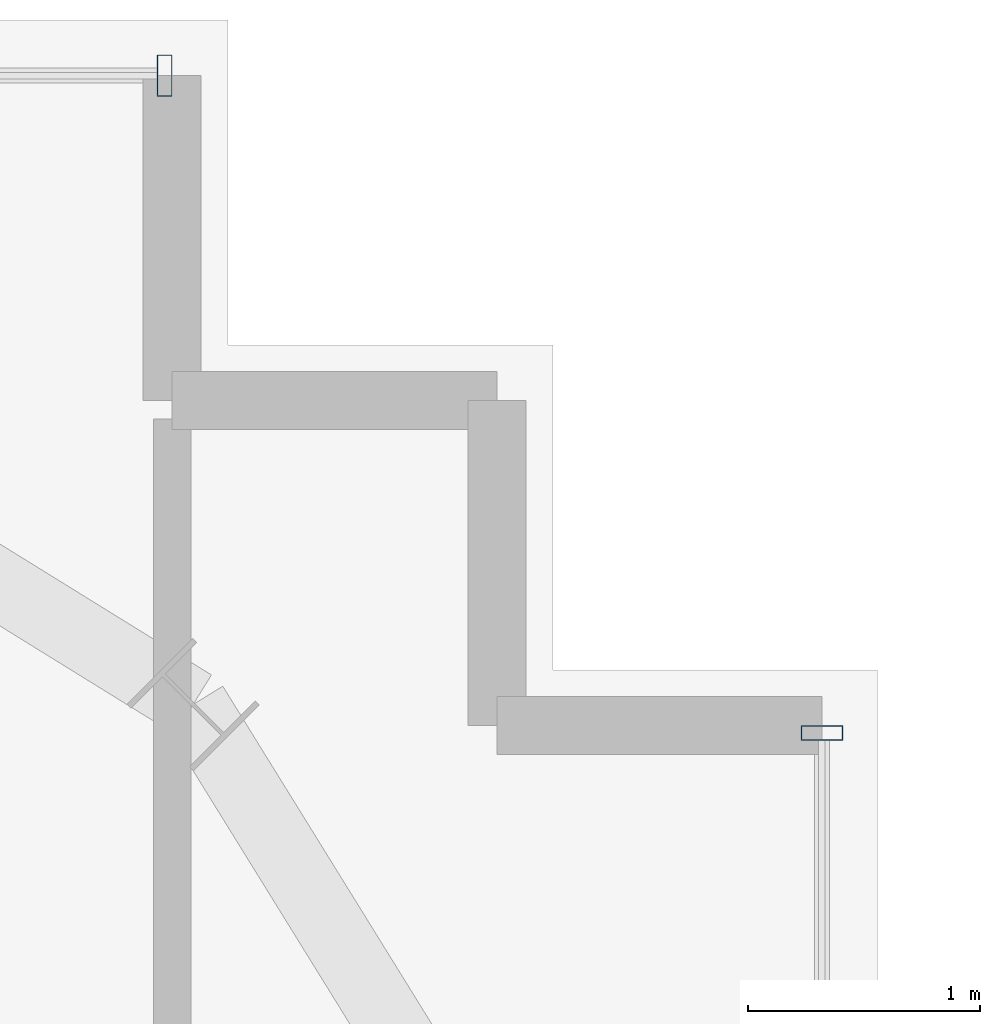
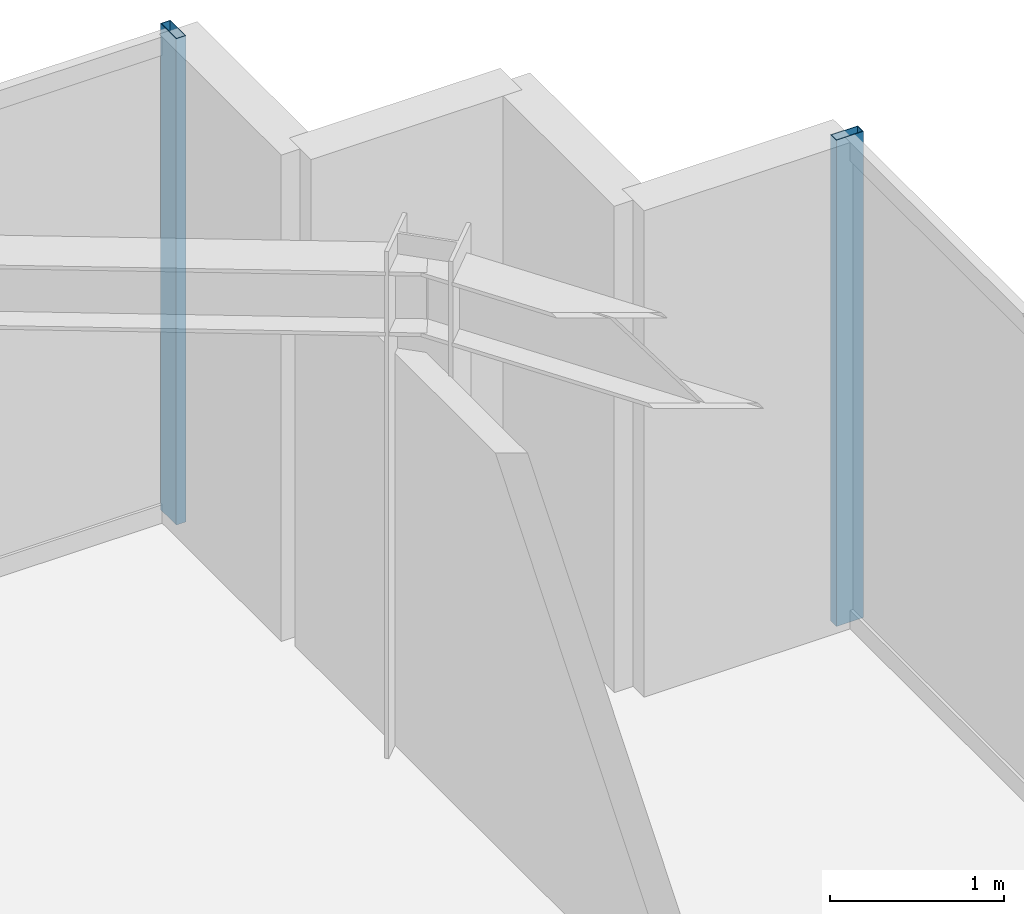
# One storey, part 28 of 36: 2 members, 2 elements without a shape of their own.
"""IFC4 building model written with IfcOpenShell, lengths in metres."""

from ifc_helpers import new_model, si_unit, direction, frame, origin, origin_2d, place, context, subcontext, project, spatial, hollow_rectangle, extrude, source, transform, mapped, material, material_profile, profile_set, type_object, element, aggregate, save


model = new_model("IFC4")

# Units and contexts
model_context = context("Model", 3, precision=1e-05, world=origin(), true_north=direction((0.0, 1.0)))
body_context = subcontext(model_context, "Body", "Model", "MODEL_VIEW")
ifc_project = project(units=[si_unit("LENGTHUNIT", "METRE"), si_unit("AREAUNIT", "SQUARE_METRE"), si_unit("VOLUMEUNIT", "CUBIC_METRE"), si_unit("PLANEANGLEUNIT", "RADIAN"), si_unit("MASSUNIT", "GRAM", prefix="KILO")], contexts=[model_context])

# Site, building, storey
site_placement = place(None, origin())
site = spatial("IfcSite", under=ifc_project, at=site_placement, CompositionType="ELEMENT")
building_placement = place(site_placement, origin())
building = spatial("IfcBuilding", under=site, at=building_placement, Name="Nahalor Promenade Grand Hotel", CompositionType="ELEMENT")
storey_placement = place(building_placement, frame((0.0, 0.0, 253.0)))
storey = spatial("IfcBuildingStorey", under=building, at=storey_placement, Name="L65", CompositionType="ELEMENT", Elevation=253.0)

# Curtain wall, member
ifc_material = material(Name="Anodised Bronze Aluminium EN AW-6063 T6", Category="aluminium")
curtain_wall_type = type_object("IfcCurtainWallType", Name="CW2 Typical Hotel Flush Bronze Unitised Curtain Wall", PredefinedType="USERDEFINED", material=ifc_material)
curtain_wall_1_placement = place(storey_placement, origin())
curtain_wall_1 = element("IfcCurtainWall", 1, at=curtain_wall_1_placement, inside=storey, type_object=curtain_wall_type, Name="L65 Curtain Wall CW-L65-N-1", ObjectType="UNITISED_CURTAIN_WALL", PredefinedType="USERDEFINED")
ifc_material_profile = material_profile(ifc_material, hollow_rectangle(XDim=0.065, YDim=0.18, WallThickness=0.004, at=origin_2d()), Name="CWM 65x180x4")
ifc_profile_set = profile_set([ifc_material_profile], Name="Anodised Bronze Aluminium EN AW-6063 T6")
member_type = type_object("IfcMemberType", Name="CWM2 Typical Bronze Mullion 65x180", PredefinedType="MULLION", material=ifc_profile_set)
shared_shape = source(origin(), body_context, "Body", "SweptSolid", [
    extrude(hollow_rectangle(XDim=0.065, YDim=0.18, WallThickness=0.004, at=origin_2d()), origin(), (0.0, 0.0, 1.0), 3.409912109375),
])
member_1_placement = place(storey_placement, frame((21.12744140625, 23.9599609375, 0.0), z_axis=(0.0, 0.0, 1.0), x_axis=(1.0, 0.0, 0.0)))
member_1 = element("IfcMember", 2, at=member_1_placement, type_object=member_type, Name="CW-L65-N-1 Mullion 4", PredefinedType="MULLION", context=body_context, shape_type="MappedRepresentation", body=[
    mapped(shared_shape, transform((0.0, 0.0, 0.0), scale=1.0)),
])
aggregate(curtain_wall_1, [member_1])

curtain_wall_2_placement = place(storey_placement, origin())
curtain_wall_2 = element("IfcCurtainWall", 3, at=curtain_wall_2_placement, inside=storey, type_object=curtain_wall_type, Name="L65 Curtain Wall CW-L65-E-3", ObjectType="UNITISED_CURTAIN_WALL", PredefinedType="USERDEFINED")
member_2_placement = place(storey_placement, frame((23.9599609375, 21.12744140625, 0.0), z_axis=(0.0, 0.0, 1.0), x_axis=(0.0, 1.0, 0.0)))
member_2 = element("IfcMember", 4, at=member_2_placement, type_object=member_type, Name="CW-L65-E-3 Mullion 1", PredefinedType="MULLION", context=body_context, shape_type="MappedRepresentation", body=[
    mapped(shared_shape, transform((0.0, 0.0, 0.0), scale=1.0)),
])
aggregate(curtain_wall_2, [member_2])

save(model, "model.ifc")
